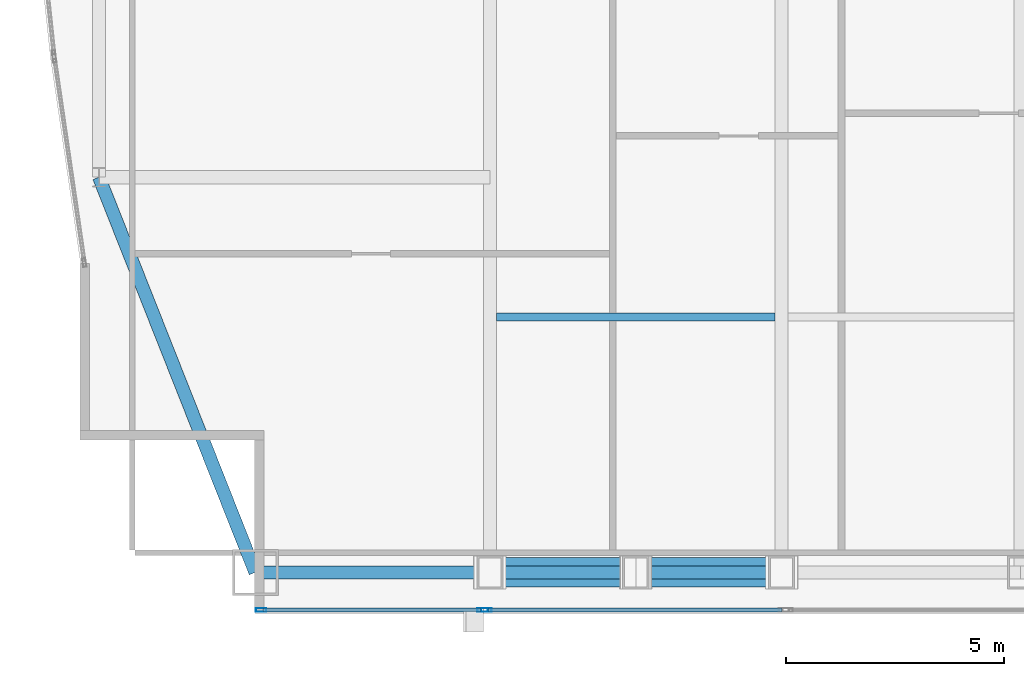
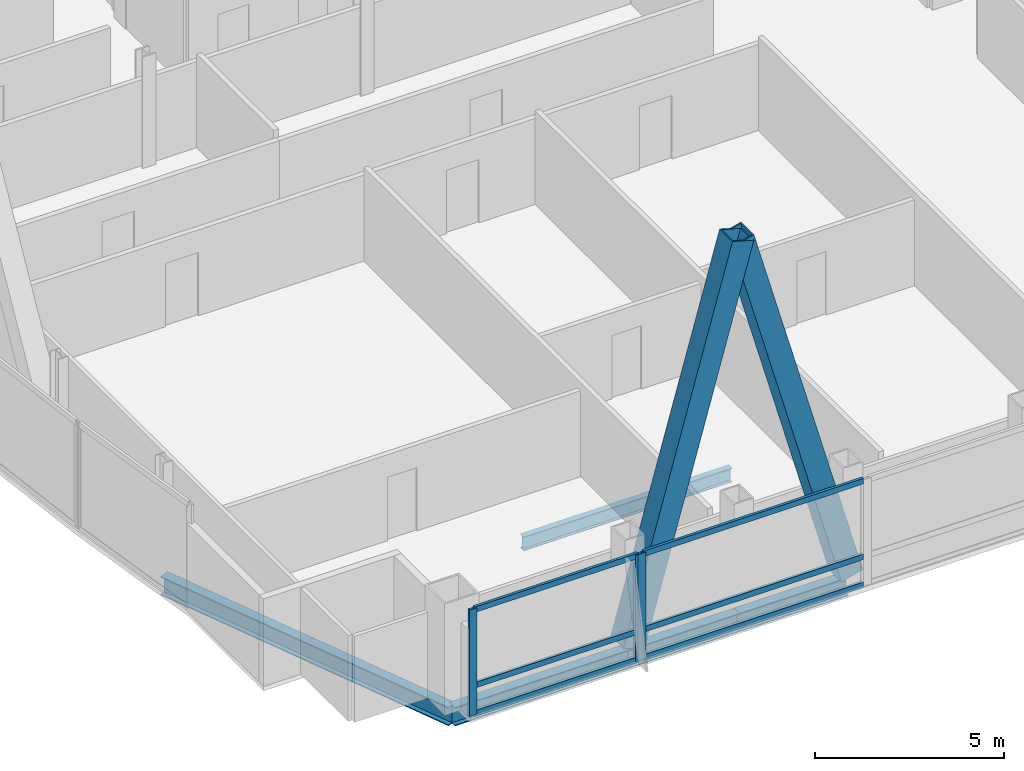
# One storey, part 5 of 31: 11 members, 5 beams, 2 elements without a shape of their own.
"""IFC4 building model written with IfcOpenShell, lengths in metres."""

from ifc_helpers import new_model, si_unit, direction, frame, origin, origin_2d, place, context, subcontext, project, spatial, hollow_rectangle, i_section, extrude, material, material_profile, profile_set, type_object, element, aggregate, save


model = new_model("IFC4")

# Units and contexts
model_context = context("Model", 3, precision=1e-05, world=origin(), true_north=direction((0.0, 1.0)))
body_context = subcontext(model_context, "Body", "Model", "MODEL_VIEW")
ifc_project = project(units=[si_unit("LENGTHUNIT", "METRE"), si_unit("AREAUNIT", "SQUARE_METRE"), si_unit("VOLUMEUNIT", "CUBIC_METRE"), si_unit("PLANEANGLEUNIT", "RADIAN"), si_unit("MASSUNIT", "GRAM", prefix="KILO")], contexts=[model_context])

# Site, building, storey
site_placement = place(None, origin())
site = spatial("IfcSite", under=ifc_project, at=site_placement, CompositionType="ELEMENT")
building_placement = place(site_placement, origin())
building = spatial("IfcBuilding", under=site, at=building_placement, Name="Khoronbel Lancet Exchange", CompositionType="ELEMENT")
storey_placement = place(building_placement, frame((0.0, 0.0, 249.800048828125)))
storey = spatial("IfcBuildingStorey", under=building, at=storey_placement, Name="L64", CompositionType="ELEMENT", Elevation=249.800048828125)

# Beams
ifc_material_1 = material(Name="Steel S355", Category="steel")
ifc_material_profile_1 = material_profile(ifc_material_1, i_section(OverallWidth=0.18994140625, OverallDepth=0.449951171875, WebThickness=0.009521484375, FlangeThickness=0.0146484375, at=origin_2d()), Name="IPE 450")
ifc_profile_set_1 = profile_set([ifc_material_profile_1], Name="Steel S355")
beam_type_1 = type_object("IfcBeamType", Name="BM-BJ4", PredefinedType="JOIST", material=ifc_profile_set_1)
beam_1_placement = place(storey_placement, frame((18.375, 16.0, -0.385009765625), z_axis=(1.0, 0.0, 0.0), x_axis=(0.0, 1.0, 0.0)))
element("IfcBeam", 1, at=beam_1_placement, inside=storey, type_object=beam_type_1, Name="Level L64 secondary composite joist J01", PredefinedType="JOIST", context=body_context, shape_type="SweptSolid", body=[
    extrude(i_section(OverallWidth=0.18994140625, OverallDepth=0.449951171875, WebThickness=0.009521484375, FlangeThickness=0.0146484375, at=origin_2d()), origin(), (0.0, 0.0, 1.0), 6.375),
])
ifc_material_profile_2 = material_profile(ifc_material_1, i_section(OverallWidth=0.300048828125, OverallDepth=0.60009765625, WebThickness=0.015380859375, FlangeThickness=0.030029296875, at=origin_2d()), Name="HEB 600")
ifc_profile_set_2 = profile_set([ifc_material_profile_2], Name="Steel S355")
beam_type_2 = type_object("IfcBeamType", Name="BM-BSP2", PredefinedType="SPANDREL", material=ifc_profile_set_2)
beam_2_placement = place(storey_placement, frame((12.85009765625, 10.14990234375, -0.4599609375), z_axis=(1.0, 0.0, 0.0), x_axis=(0.0, 1.0, 0.0)))
element("IfcBeam", 2, at=beam_2_placement, inside=storey, type_object=beam_type_2, Name="Level L64 perimeter spandrel beam SP01", PredefinedType="SPANDREL", context=body_context, shape_type="SweptSolid", body=[
    extrude(i_section(OverallWidth=0.300048828125, OverallDepth=0.60009765625, WebThickness=0.015380859375, FlangeThickness=0.030029296875, at=origin_2d()), origin(), (0.0, 0.0, 1.0), 5.375),
])
for number, where, z_axis, x_axis, name in (
    (3, (18.22509765625, 10.14990234375, -0.4599609375), (1.0, 0.0, 0.0), (0.0, 1.0, 0.0), "Level L64 perimeter spandrel beam SP02"),
    (4, (21.5625, 10.14990234375, -0.4599609375), (1.0, 0.0, 0.0), (0.0, 1.0, 0.0), "Level L64 perimeter spandrel beam SP03"),
):
    element("IfcBeam", number, at=place(storey_placement, frame(where, z_axis=z_axis, x_axis=x_axis)), inside=storey, type_object=beam_type_2, Name=name, PredefinedType="SPANDREL", context=body_context, shape_type="SweptSolid", body=[
        extrude(i_section(OverallWidth=0.300048828125, OverallDepth=0.60009765625, WebThickness=0.015380859375, FlangeThickness=0.030029296875, at=origin_2d()), origin(), (0.0, 0.0, 1.0), 3.33740234375),
    ])
beam_3_placement = place(storey_placement, frame((9.27001953125, 19.199951171875, -0.4599609375), z_axis=(0.367850095026, -0.92988510451, 0.0), x_axis=(0.92988510451, 0.367850095026, 0.0)))
element("IfcBeam", 5, at=beam_3_placement, inside=storey, type_object=beam_type_2, Name="Level L64 perimeter spandrel beam SP21", PredefinedType="SPANDREL", context=body_context, shape_type="SweptSolid", body=[
    extrude(i_section(OverallWidth=0.300048828125, OverallDepth=0.60009765625, WebThickness=0.015380859375, FlangeThickness=0.030029296875, at=origin_2d()), origin(), (0.0, 0.0, 1.0), 9.732421875),
])

# Curtain wall, members
ifc_material_2 = material(Name="Low-E Solar Control Insulating Glass", Category="glass")
curtain_wall_type = type_object("IfcCurtainWallType", Name="CW-3", PredefinedType="NOTDEFINED", material=ifc_material_2)
curtain_wall_1_placement = place(storey_placement, origin())
curtain_wall_1 = element("IfcCurtainWall", 6, at=curtain_wall_1_placement, inside=storey, type_object=curtain_wall_type, Name="Unitised curtain wall CW-L64-SWV", PredefinedType="NOTDEFINED")
ifc_material_3 = material(Name="Bronze-Anodised Aluminium 6063-T6", Category="aluminium")
ifc_material_profile_3 = material_profile(ifc_material_3, hollow_rectangle(XDim=0.0849609375, YDim=0.239990234375, WallThickness=0.006103515625, at=origin_2d()), Name="ALU MULLION 85x240")
ifc_profile_set_3 = profile_set([ifc_material_profile_3], Name="Bronze-Anodised Aluminium 6063-T6")
member_type_1 = type_object("IfcMemberType", Name="MEM-CWM1", PredefinedType="MULLION", material=ifc_profile_set_3)
member_1_placement = place(storey_placement, frame((12.982421875, 9.2900390625, 0.0), z_axis=(0.0, 0.0, 1.0), x_axis=(0.0, 1.0, 0.0)))
member_1 = element("IfcMember", 7, at=member_1_placement, type_object=member_type_1, Name="CW3 mullion 1", PredefinedType="MULLION", context=body_context, shape_type="SweptSolid", body=[
    extrude(hollow_rectangle(XDim=0.0849609375, YDim=0.239990234375, WallThickness=0.006103515625, at=origin_2d()), origin(), (0.0, 0.0, 1.0), 3.43994140625),
])
member_2_placement = place(storey_placement, frame((18.0576171875, 9.2900390625, 0.0), z_axis=(0.0, 0.0, 1.0), x_axis=(0.0, 1.0, 0.0)))
member_2 = element("IfcMember", 8, at=member_2_placement, type_object=member_type_1, Name="CW3 mullion 2", PredefinedType="MULLION", context=body_context, shape_type="SweptSolid", body=[
    extrude(hollow_rectangle(XDim=0.0849609375, YDim=0.239990234375, WallThickness=0.006103515625, at=origin_2d()), origin(), (0.0, 0.0, 1.0), 3.43994140625),
])

# Curtain wall, member
curtain_wall_2_placement = place(storey_placement, origin())
curtain_wall_2 = element("IfcCurtainWall", 9, at=curtain_wall_2_placement, inside=storey, type_object=curtain_wall_type, Name="Unitised curtain wall CW-L64-SWB", PredefinedType="NOTDEFINED")
member_3_placement = place(storey_placement, frame((18.142578125, 9.2900390625, 0.0), z_axis=(0.0, 0.0, 1.0), x_axis=(0.0, 1.0, 0.0)))
member_3 = element("IfcMember", 10, at=member_3_placement, type_object=member_type_1, Name="CW3 mullion 1", PredefinedType="MULLION", context=body_context, shape_type="SweptSolid", body=[
    extrude(hollow_rectangle(XDim=0.0849609375, YDim=0.239990234375, WallThickness=0.006103515625, at=origin_2d()), origin(), (0.0, 0.0, 1.0), 3.43994140625),
])

# Member
ifc_material_profile_4 = material_profile(ifc_material_3, hollow_rectangle(XDim=0.0849609375, YDim=0.179931640625, WallThickness=0.0048828125, at=origin_2d()), Name="ALU TRANSOM 85x180")
ifc_profile_set_4 = profile_set([ifc_material_profile_4], Name="Bronze-Anodised Aluminium 6063-T6")
member_type_2 = type_object("IfcMemberType", Name="MEM-CWT1", PredefinedType="USERDEFINED", material=ifc_profile_set_4)
member_4_placement = place(storey_placement, frame((13.02490234375, 9.2900390625, 0.04248046875), z_axis=(1.0, 0.0, 0.0), x_axis=(0.0, 1.0, 0.0)))
member_4 = element("IfcMember", 11, at=member_4_placement, type_object=member_type_2, Name="CW3 transom 1.1", ObjectType="TRANSOM", PredefinedType="USERDEFINED", context=body_context, shape_type="SweptSolid", body=[
    extrude(hollow_rectangle(XDim=0.0849609375, YDim=0.179931640625, WallThickness=0.0048828125, at=origin_2d()), origin(), (0.0, 0.0, 1.0), 4.989990234375),
])

member_5_placement = place(storey_placement, frame((13.02490234375, 9.2900390625, 0.949951171875), z_axis=(1.0, 0.0, 0.0), x_axis=(0.0, 1.0, 0.0)))
member_5 = element("IfcMember", 12, at=member_5_placement, type_object=member_type_2, Name="CW3 transom 1.2", ObjectType="TRANSOM", PredefinedType="USERDEFINED", context=body_context, shape_type="SweptSolid", body=[
    extrude(hollow_rectangle(XDim=0.0849609375, YDim=0.179931640625, WallThickness=0.0048828125, at=origin_2d()), origin(), (0.0, 0.0, 1.0), 4.989990234375),
])

member_6_placement = place(storey_placement, frame((13.02490234375, 9.2900390625, 3.3974609375), z_axis=(1.0, 0.0, 0.0), x_axis=(0.0, 1.0, 0.0)))
member_6 = element("IfcMember", 13, at=member_6_placement, type_object=member_type_2, Name="CW3 transom 1.3", ObjectType="TRANSOM", PredefinedType="USERDEFINED", context=body_context, shape_type="SweptSolid", body=[
    extrude(hollow_rectangle(XDim=0.0849609375, YDim=0.179931640625, WallThickness=0.0048828125, at=origin_2d()), origin(), (0.0, 0.0, 1.0), 4.989990234375),
])

aggregate(curtain_wall_1, [member_1, member_2, member_4, member_5, member_6])

member_7_placement = place(storey_placement, frame((18.18505859375, 9.2900390625, 0.04248046875), z_axis=(1.0, 0.0, 0.0), x_axis=(0.0, 1.0, 0.0)))
member_7 = element("IfcMember", 14, at=member_7_placement, type_object=member_type_2, Name="CW3 transom 1.1", ObjectType="TRANSOM", PredefinedType="USERDEFINED", context=body_context, shape_type="SweptSolid", body=[
    extrude(hollow_rectangle(XDim=0.0849609375, YDim=0.179931640625, WallThickness=0.0048828125, at=origin_2d()), origin(), (0.0, 0.0, 1.0), 6.72998046875),
])

member_8_placement = place(storey_placement, frame((18.18505859375, 9.2900390625, 0.949951171875), z_axis=(1.0, 0.0, 0.0), x_axis=(0.0, 1.0, 0.0)))
member_8 = element("IfcMember", 15, at=member_8_placement, type_object=member_type_2, Name="CW3 transom 1.2", ObjectType="TRANSOM", PredefinedType="USERDEFINED", context=body_context, shape_type="SweptSolid", body=[
    extrude(hollow_rectangle(XDim=0.0849609375, YDim=0.179931640625, WallThickness=0.0048828125, at=origin_2d()), origin(), (0.0, 0.0, 1.0), 6.72998046875),
])

member_9_placement = place(storey_placement, frame((18.18505859375, 9.2900390625, 3.3974609375), z_axis=(1.0, 0.0, 0.0), x_axis=(0.0, 1.0, 0.0)))
member_9 = element("IfcMember", 16, at=member_9_placement, type_object=member_type_2, Name="CW3 transom 1.3", ObjectType="TRANSOM", PredefinedType="USERDEFINED", context=body_context, shape_type="SweptSolid", body=[
    extrude(hollow_rectangle(XDim=0.0849609375, YDim=0.179931640625, WallThickness=0.0048828125, at=origin_2d()), origin(), (0.0, 0.0, 1.0), 6.72998046875),
])

aggregate(curtain_wall_2, [member_3, member_7, member_8, member_9])

# Members
ifc_material_4 = material(Name="Steel S460", Category="steel")
ifc_material_profile_5 = material_profile(ifc_material_4, hollow_rectangle(XDim=0.679931640625, YDim=0.679931640625, WallThickness=0.044921875, at=origin_2d()), Name="BOX 680x680x45")
ifc_profile_set_5 = profile_set([ifc_material_profile_5], Name="Steel S460")
member_type_3 = type_object("IfcMemberType", Name="MEM-MB3", PredefinedType="BRACE", material=ifc_profile_set_5)
for number, where, z_axis, x_axis, name in (
    (17, (18.22509765625, 10.14990234375, 0.0), (0.267947134133, 0.0, 0.963433616452), (0.0, 1.0, 0.0), "Perimeter lancet brace tier 22 S-W-L"),
    (18, (24.89990234375, 10.14990234375, 0.0), (-0.267947134133, 0.0, 0.963433616452), (0.0, -1.0, 0.0), "Perimeter lancet brace tier 22 S-W-R"),
):
    element("IfcMember", number, at=place(storey_placement, frame(where, z_axis=z_axis, x_axis=x_axis)), inside=storey, type_object=member_type_3, Name=name, PredefinedType="BRACE", context=body_context, shape_type="SweptSolid", body=[
        extrude(hollow_rectangle(XDim=0.679931640625, YDim=0.679931640625, WallThickness=0.044921875, at=origin_2d()), origin(), (0.0, 0.0, 1.0), 12.45556640625),
    ])

save(model, "model.ifc")
